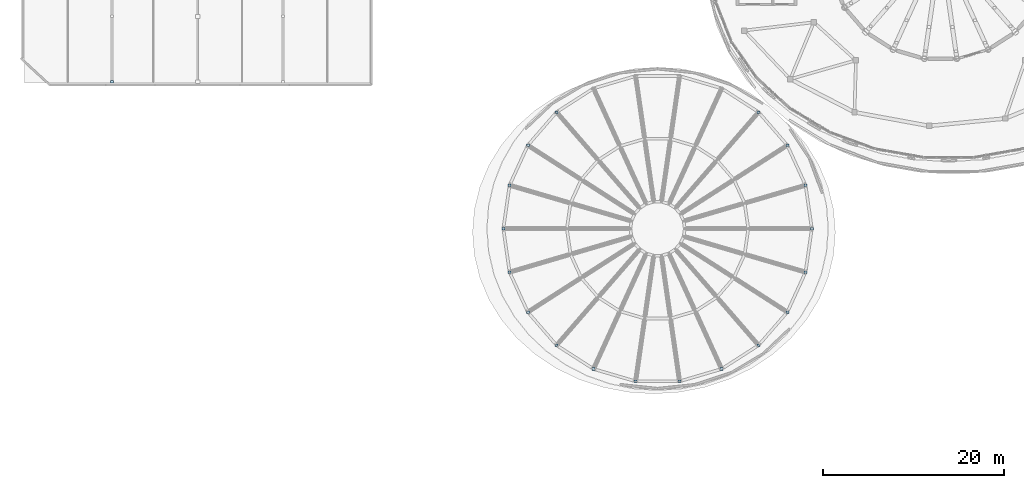
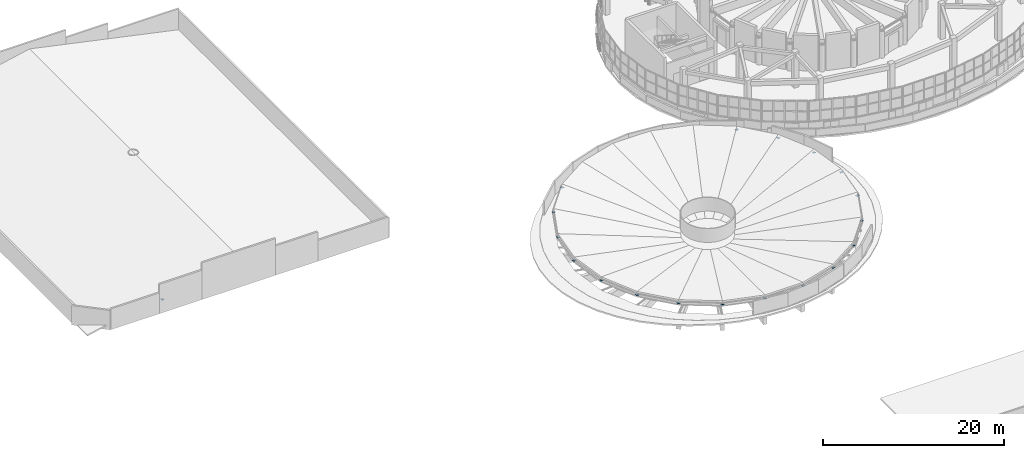
# One storey, part 53 of 69: 19 plates.
"""IFC4 building model written with IfcOpenShell, lengths in metres."""

from ifc_helpers import new_model, si_unit, direction, frame, origin, origin_2d, place, context, subcontext, project, spatial, rectangle, extrude, material, layer, layer_set, type_object, element, save


model = new_model("IFC4")

# Units and contexts
model_context = context("Model", 3, precision=1e-05, world=origin(), true_north=direction((0.0, 1.0)))
body_context = subcontext(model_context, "Body", "Model", "MODEL_VIEW")
ifc_project = project(units=[si_unit("LENGTHUNIT", "METRE"), si_unit("AREAUNIT", "SQUARE_METRE"), si_unit("VOLUMEUNIT", "CUBIC_METRE"), si_unit("PLANEANGLEUNIT", "RADIAN"), si_unit("MASSUNIT", "GRAM", prefix="KILO")], contexts=[model_context])

# Site, building, storey
site_placement = place(None, origin())
site = spatial("IfcSite", under=ifc_project, at=site_placement, CompositionType="ELEMENT")
building_placement = place(site_placement, origin())
building = spatial("IfcBuilding", under=site, at=building_placement, Name="Pelvatis Terrace Science Centre", CompositionType="ELEMENT")
storey_placement = place(building_placement, frame((0.0, 0.0, 15.0)))
storey = spatial("IfcBuildingStorey", under=building, at=storey_placement, Name="L03", CompositionType="ELEMENT", Elevation=15.0)

# Plates
ifc_material = material(Name="Structural steel S355", Category="steel")
ifc_layer = layer(ifc_material, 0.01611328125)
ifc_layer_set = layer_set([ifc_layer], Name="Structural steel S355")
plate_type = type_object("IfcPlateType", Name="PLT-GUS-320x280x16", PredefinedType="USERDEFINED", material=ifc_layer_set)
for number, where, z_axis, x_axis, name in (
    (1, (95.0, 54.60009765625, 1.391845703125), (0.0, 0.0, 1.0), (1.0, 0.0, 0.0), "Brace and strut end connection gusset plate 025"),
    (2, (94.311279296875, 59.389404296875, 1.391845703125), (0.0, 0.0, 1.0), (1.0, 0.0, 0.0), "Brace and strut end connection gusset plate 030"),
    (3, (92.30126953125, 63.791015625, 1.391845703125), (0.0, 0.0, 1.0), (1.0, 0.0, 0.0), "Brace and strut end connection gusset plate 035"),
    (4, (89.132568359375, 67.44775390625, 1.391845703125), (0.0, 0.0, 1.0), (1.0, 0.0, 0.0), "Brace and strut end connection gusset plate 040"),
    (5, (66.867431640625, 67.44775390625, 1.391845703125), (0.0, 0.0, 1.0), (1.0, 0.0, 0.0), "Brace and strut end connection gusset plate 065"),
    (6, (63.69873046875, 63.791015625, 1.391845703125), (0.0, 0.0, 1.0), (1.0, 0.0, 0.0), "Brace and strut end connection gusset plate 070"),
    (7, (61.688720703125, 59.389404296875, 1.391845703125), (0.0, 0.0, 1.0), (1.0, 0.0, 0.0), "Brace and strut end connection gusset plate 075"),
    (8, (61.0, 54.60009765625, 1.391845703125), (0.0, 0.0, 1.0), (1.0, 0.0, 0.0), "Brace and strut end connection gusset plate 080"),
    (9, (61.688720703125, 49.810546875, 1.391845703125), (0.0, 0.0, 1.0), (1.0, 0.0, 0.0), "Brace and strut end connection gusset plate 085"),
    (10, (63.69873046875, 45.4091796875, 1.391845703125), (0.0, 0.0, 1.0), (1.0, 0.0, 0.0), "Brace and strut end connection gusset plate 090"),
    (11, (66.867431640625, 41.752197265625, 1.391845703125), (0.0, 0.0, 1.0), (1.0, 0.0, 0.0), "Brace and strut end connection gusset plate 095"),
    (12, (70.93798828125, 39.13623046875, 1.391845703125), (0.0, 0.0, 1.0), (1.0, 0.0, 0.0), "Brace and strut end connection gusset plate 100"),
    (13, (75.58056640625, 37.77294921875, 1.391845703125), (0.0, 0.0, 1.0), (1.0, 0.0, 0.0), "Brace and strut end connection gusset plate 105"),
    (14, (80.41943359375, 37.77294921875, 1.391845703125), (0.0, 0.0, 1.0), (1.0, 0.0, 0.0), "Brace and strut end connection gusset plate 110"),
    (15, (85.06201171875, 39.13623046875, 1.391845703125), (0.0, 0.0, 1.0), (1.0, 0.0, 0.0), "Brace and strut end connection gusset plate 115"),
    (16, (89.132568359375, 41.752197265625, 1.391845703125), (0.0, 0.0, 1.0), (1.0, 0.0, 0.0), "Brace and strut end connection gusset plate 120"),
    (17, (92.30126953125, 45.4091796875, 1.391845703125), (0.0, 0.0, 1.0), (1.0, 0.0, 0.0), "Brace and strut end connection gusset plate 125"),
    (18, (94.311279296875, 49.810546875, 1.391845703125), (0.0, 0.0, 1.0), (1.0, 0.0, 0.0), "Brace and strut end connection gusset plate 130"),
    (19, (17.85009765625, 70.800048828125, 1.44189453125), (0.0, 0.0, 1.0), (1.0, 0.0, 0.0), "Brace and strut end connection gusset plate 135"),
):
    element("IfcPlate", number, at=place(storey_placement, frame(where, z_axis=z_axis, x_axis=x_axis)), inside=storey, type_object=plate_type, Name=name, ObjectType="GUSSET", PredefinedType="USERDEFINED", context=body_context, shape_type="SweptSolid", body=[
        extrude(rectangle(XDim=0.320068359375, YDim=0.280029296875, at=origin_2d()), origin(), (0.0, 0.0, 1.0), 0.01611328125),
    ])

save(model, "model.ifc")
